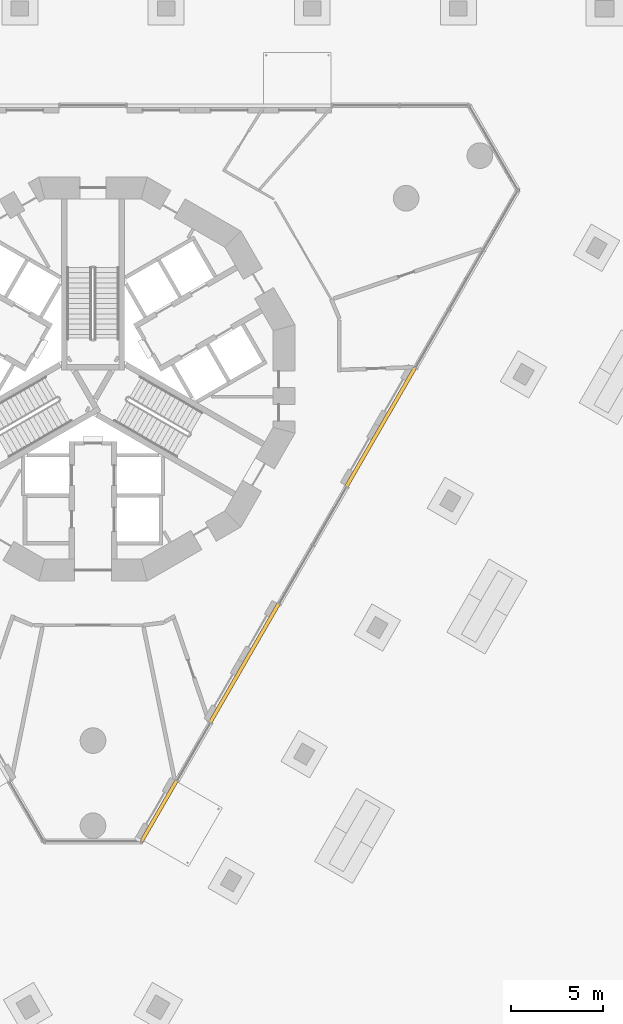
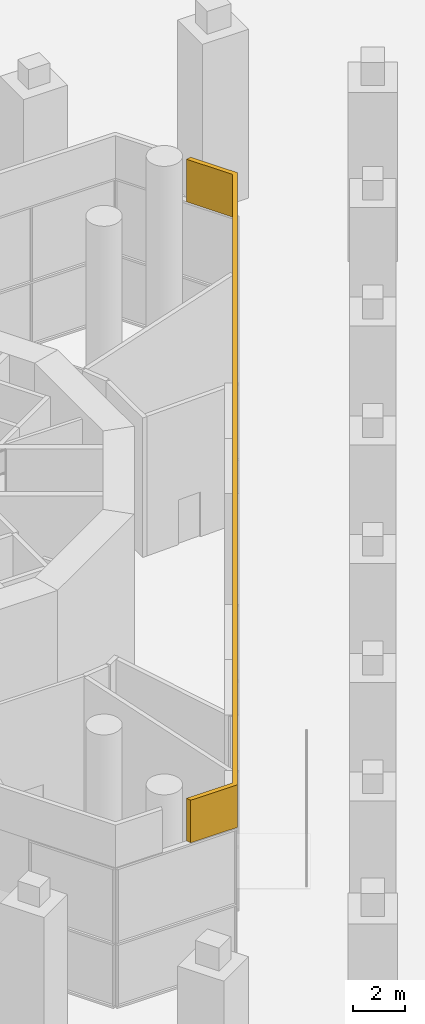
# One storey, part 22 of 26: 1 covering.
"""IFC4 building model written with IfcOpenShell, lengths in metres."""

from ifc_helpers import new_model, si_unit, direction, frame, origin, place, context, subcontext, project, spatial, polyline, outline, extrude, material, layer, layer_set, type_object, element, save


model = new_model("IFC4")

# Units and contexts
model_context = context("Model", 3, precision=1e-05, world=origin(), true_north=direction((0.0, 1.0)))
body_context = subcontext(model_context, "Body", "Model", "MODEL_VIEW")
ifc_project = project(units=[si_unit("LENGTHUNIT", "METRE"), si_unit("AREAUNIT", "SQUARE_METRE"), si_unit("VOLUMEUNIT", "CUBIC_METRE"), si_unit("PLANEANGLEUNIT", "RADIAN"), si_unit("MASSUNIT", "GRAM", prefix="KILO")], contexts=[model_context])

# Site, building, storey
site_placement = place(None, origin())
site = spatial("IfcSite", under=ifc_project, at=site_placement, CompositionType="ELEMENT")
building_placement = place(site_placement, origin())
building = spatial("IfcBuilding", under=site, at=building_placement, Name="Trine Commons Tower", CompositionType="ELEMENT")
storey_placement = place(building_placement, origin())
storey = spatial("IfcBuildingStorey", under=building, at=storey_placement, Name="L00", CompositionType="ELEMENT", Elevation=0.0)

# Covering
ifc_material = material(Name="Anodised aluminium cladding, bronze finish", Category="aluminium")
ifc_layer = layer(ifc_material, 0.199951171875)
ifc_layer_set = layer_set([ifc_layer], Name="Anodised aluminium cladding, bronze finish")
covering_type = type_object("IfcCoveringType", Name="Pavilion fascia panel 200", PredefinedType="CLADDING", material=ifc_layer_set)
covering_placement = place(storey_placement, frame((0.0, 0.0, 6.60009765625)))
element("IfcCovering", 1, at=covering_placement, inside=storey, type_object=covering_type, Name="Pavilion fascia 3", PredefinedType="CLADDING", context=body_context, shape_type="SweptSolid", body=[
    extrude(outline(polyline([(103.240478515625, 72.78466796875), (102.199462890625, 74.587890625), (101.990234375, 74.550048828125), (103.009521484375, 72.78466796875), (82.59814453125, 37.430908203125), (80.5595703125, 37.430908203125), (80.631103515625, 37.230712890625), (82.71337890625, 37.230712890625), (103.240478515625, 72.78466796875)])), origin(), (0.0, 0.0, 1.0), 2.0),
])

save(model, "model.ifc")
